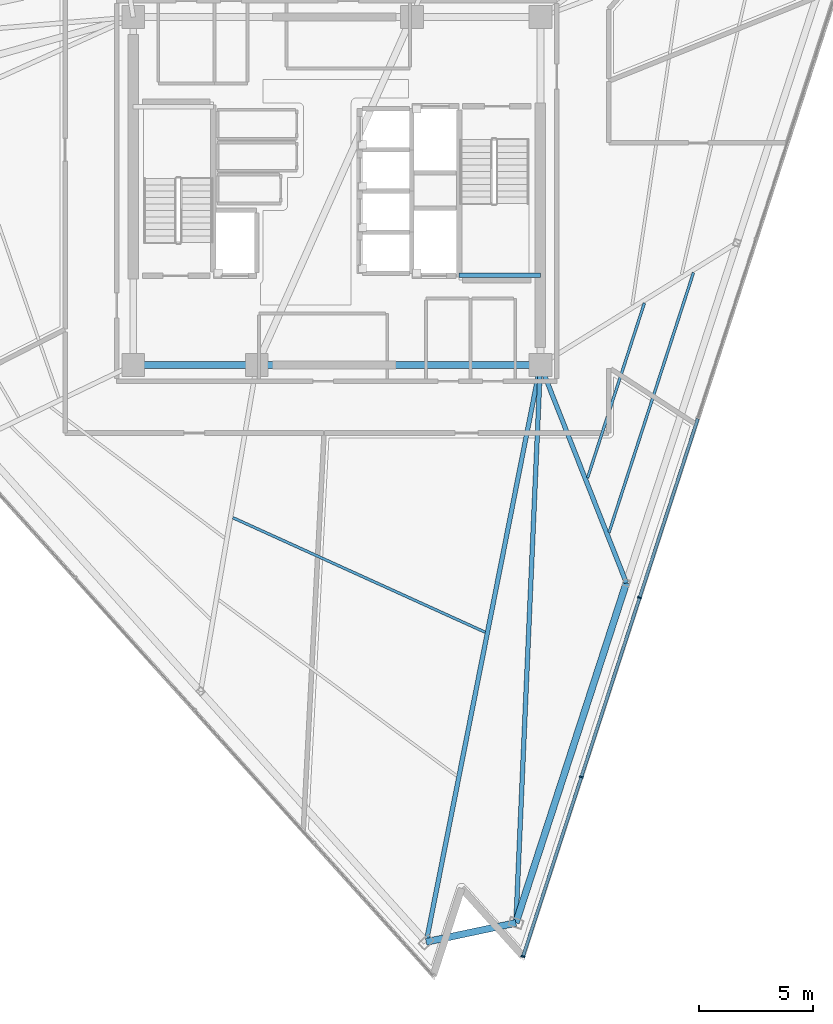
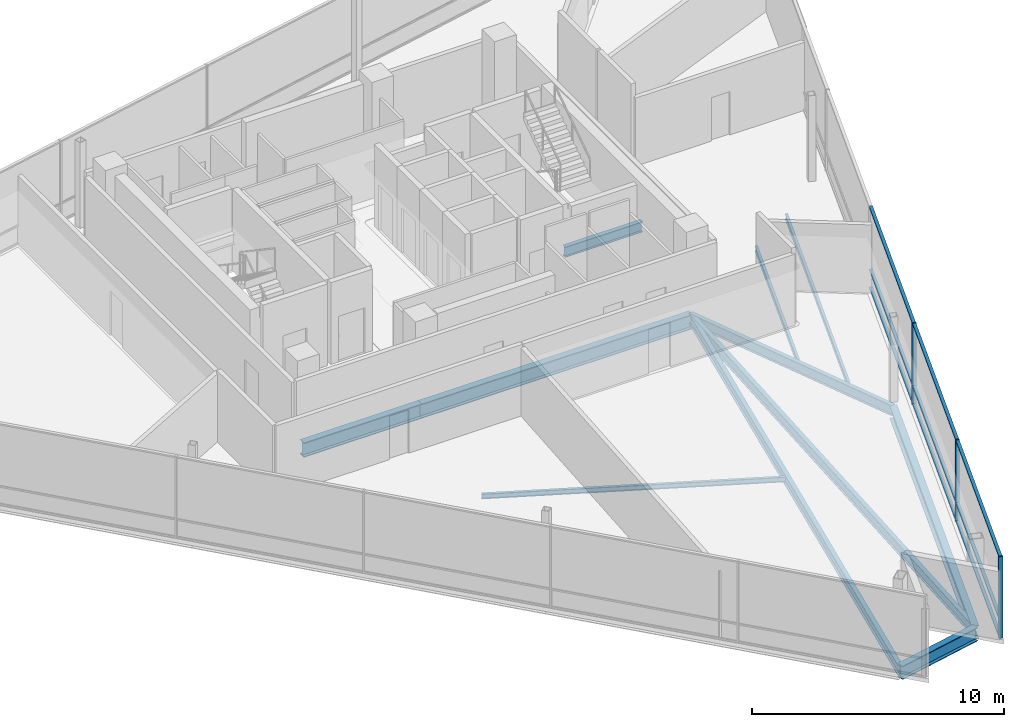
# One storey, part 5 of 17: 12 members, 11 beams, 1 element without a shape of its own.
"""IFC4 building model written with IfcOpenShell, lengths in metres."""

from ifc_helpers import new_model, si_unit, direction, frame, origin, origin_2d, place, context, subcontext, project, spatial, rectangle, i_section, extrude, material, layer, layer_set, material_profile, profile_set, type_object, element, aggregate, save


model = new_model("IFC4")

# Units and contexts
model_context = context("Model", 3, precision=1e-05, world=origin(), true_north=direction((0.0, 1.0)))
body_context = subcontext(model_context, "Body", "Model", "MODEL_VIEW")
ifc_project = project(units=[si_unit("LENGTHUNIT", "METRE"), si_unit("AREAUNIT", "SQUARE_METRE"), si_unit("VOLUMEUNIT", "CUBIC_METRE"), si_unit("PLANEANGLEUNIT", "RADIAN"), si_unit("MASSUNIT", "GRAM", prefix="KILO")], contexts=[model_context])

# Site, building, storey
site_placement = place(None, origin())
site = spatial("IfcSite", under=ifc_project, at=site_placement, CompositionType="ELEMENT")
building_placement = place(site_placement, origin())
building = spatial("IfcBuilding", under=site, at=building_placement, Name="Tharavind Bronze Gate", CompositionType="ELEMENT")
storey_placement = place(building_placement, frame((0.0, 0.0, 298.0)))
storey = spatial("IfcBuildingStorey", under=building, at=storey_placement, Name="L77", CompositionType="ELEMENT", Elevation=298.0)

# Curtain wall, members
ifc_material_1 = material(Name="Anodised Bronze Aluminium", Category="aluminium")
ifc_layer = layer(ifc_material_1, 0.219970703125)
ifc_layer_set = layer_set([ifc_layer], Name="Anodised Bronze Aluminium")
curtain_wall_type = type_object("IfcCurtainWallType", Name="UNITISED CURTAIN WALL CROWN", PredefinedType="USERDEFINED", material=ifc_layer_set)
curtain_wall_placement = place(storey_placement, origin())
curtain_wall = element("IfcCurtainWall", 1, at=curtain_wall_placement, inside=storey, type_object=curtain_wall_type, Name="L77 unitised curtain wall crown CW-L77-S2", ObjectType="UNITISED CURTAIN WALL", PredefinedType="USERDEFINED")
member_type_1 = type_object("IfcMemberType", Name="CURTAIN WALL BRONZE MULLION 65X180", PredefinedType="MULLION", material=ifc_material_1)
member_1_placement = place(storey_placement, frame((8.14111328125, -33.462646484375, 0.0), z_axis=(0.0, 0.0, 1.0), x_axis=(0.309016994375, 0.951056516295, 0.0)))
member_1 = element("IfcMember", 2, at=member_1_placement, type_object=member_type_1, Name="CW-L77-S2 mullion 1", PredefinedType="MULLION", context=body_context, shape_type="SweptSolid", body=[
    extrude(rectangle(XDim=0.06494140625, YDim=0.179931640625, at=origin_2d()), origin(), (0.0, 0.0, 1.0), 3.949951171875),
])
member_2_placement = place(storey_placement, frame((10.68994140625, -25.618408203125, 0.0), z_axis=(0.0, 0.0, 1.0), x_axis=(0.309016994375, 0.951056516295, 0.0)))
member_2 = element("IfcMember", 3, at=member_2_placement, type_object=member_type_1, Name="CW-L77-S2 mullion 2", PredefinedType="MULLION", context=body_context, shape_type="SweptSolid", body=[
    extrude(rectangle(XDim=0.06494140625, YDim=0.179931640625, at=origin_2d()), origin(), (0.0, 0.0, 1.0), 3.949951171875),
])
member_3_placement = place(storey_placement, frame((13.23876953125, -17.77392578125, 0.0), z_axis=(0.0, 0.0, 1.0), x_axis=(0.309016994375, 0.951056516295, 0.0)))
member_3 = element("IfcMember", 4, at=member_3_placement, type_object=member_type_1, Name="CW-L77-S2 mullion 3", PredefinedType="MULLION", context=body_context, shape_type="SweptSolid", body=[
    extrude(rectangle(XDim=0.06494140625, YDim=0.179931640625, at=origin_2d()), origin(), (0.0, 0.0, 1.0), 3.949951171875),
])
member_type_2 = type_object("IfcMemberType", Name="CURTAIN WALL BRONZE TRANSOM 65X140", PredefinedType="USERDEFINED", material=ifc_material_1)
member_4_placement = place(storey_placement, frame((9.41552734375, -29.54052734375, 0.0), z_axis=(0.0, 0.0, 1.0), x_axis=(0.309016994375, 0.951056516295, 0.0)))
member_4 = element("IfcMember", 5, at=member_4_placement, type_object=member_type_2, Name="CW-L77-S2 transom TB1", ObjectType="TRANSOM", PredefinedType="USERDEFINED", context=body_context, shape_type="SweptSolid", body=[
    extrude(rectangle(XDim=8.195068359375, YDim=0.139892578125, at=origin_2d()), origin(), (0.0, 0.0, 1.0), 0.06494140625),
])
member_5_placement = place(storey_placement, frame((9.41552734375, -29.54052734375, 0.867431640625), z_axis=(0.0, 0.0, 1.0), x_axis=(0.309016994375, 0.951056516295, 0.0)))
member_5 = element("IfcMember", 6, at=member_5_placement, type_object=member_type_2, Name="CW-L77-S2 transom TS1", ObjectType="TRANSOM", PredefinedType="USERDEFINED", context=body_context, shape_type="SweptSolid", body=[
    extrude(rectangle(XDim=8.195068359375, YDim=0.139892578125, at=origin_2d()), origin(), (0.0, 0.0, 1.0), 0.06494140625),
])
member_6_placement = place(storey_placement, frame((9.41552734375, -29.54052734375, 3.885009765625), z_axis=(0.0, 0.0, 1.0), x_axis=(0.309016994375, 0.951056516295, 0.0)))
member_6 = element("IfcMember", 7, at=member_6_placement, type_object=member_type_2, Name="CW-L77-S2 transom TT1", ObjectType="TRANSOM", PredefinedType="USERDEFINED", context=body_context, shape_type="SweptSolid", body=[
    extrude(rectangle(XDim=8.195068359375, YDim=0.139892578125, at=origin_2d()), origin(), (0.0, 0.0, 1.0), 0.06494140625),
])
member_7_placement = place(storey_placement, frame((11.96435546875, -21.6962890625, 0.0), z_axis=(0.0, 0.0, 1.0), x_axis=(0.309016994375, 0.951056516295, 0.0)))
member_7 = element("IfcMember", 8, at=member_7_placement, type_object=member_type_2, Name="CW-L77-S2 transom TB2", ObjectType="TRANSOM", PredefinedType="USERDEFINED", context=body_context, shape_type="SweptSolid", body=[
    extrude(rectangle(XDim=8.195068359375, YDim=0.139892578125, at=origin_2d()), origin(), (0.0, 0.0, 1.0), 0.06494140625),
])
member_8_placement = place(storey_placement, frame((11.96435546875, -21.6962890625, 0.867431640625), z_axis=(0.0, 0.0, 1.0), x_axis=(0.309016994375, 0.951056516295, 0.0)))
member_8 = element("IfcMember", 9, at=member_8_placement, type_object=member_type_2, Name="CW-L77-S2 transom TS2", ObjectType="TRANSOM", PredefinedType="USERDEFINED", context=body_context, shape_type="SweptSolid", body=[
    extrude(rectangle(XDim=8.195068359375, YDim=0.139892578125, at=origin_2d()), origin(), (0.0, 0.0, 1.0), 0.06494140625),
])
member_9_placement = place(storey_placement, frame((11.96435546875, -21.6962890625, 3.885009765625), z_axis=(0.0, 0.0, 1.0), x_axis=(0.309016994375, 0.951056516295, 0.0)))
member_9 = element("IfcMember", 10, at=member_9_placement, type_object=member_type_2, Name="CW-L77-S2 transom TT2", ObjectType="TRANSOM", PredefinedType="USERDEFINED", context=body_context, shape_type="SweptSolid", body=[
    extrude(rectangle(XDim=8.195068359375, YDim=0.139892578125, at=origin_2d()), origin(), (0.0, 0.0, 1.0), 0.06494140625),
])
member_10_placement = place(storey_placement, frame((14.51318359375, -13.851806640625, 0.0), z_axis=(0.0, 0.0, 1.0), x_axis=(0.309016994375, 0.951056516295, 0.0)))
member_10 = element("IfcMember", 11, at=member_10_placement, type_object=member_type_2, Name="CW-L77-S2 transom TB3", ObjectType="TRANSOM", PredefinedType="USERDEFINED", context=body_context, shape_type="SweptSolid", body=[
    extrude(rectangle(XDim=8.195068359375, YDim=0.139892578125, at=origin_2d()), origin(), (0.0, 0.0, 1.0), 0.06494140625),
])
member_11_placement = place(storey_placement, frame((14.51318359375, -13.851806640625, 0.867431640625), z_axis=(0.0, 0.0, 1.0), x_axis=(0.309016994375, 0.951056516295, 0.0)))
member_11 = element("IfcMember", 12, at=member_11_placement, type_object=member_type_2, Name="CW-L77-S2 transom TS3", ObjectType="TRANSOM", PredefinedType="USERDEFINED", context=body_context, shape_type="SweptSolid", body=[
    extrude(rectangle(XDim=8.195068359375, YDim=0.139892578125, at=origin_2d()), origin(), (0.0, 0.0, 1.0), 0.06494140625),
])
member_12_placement = place(storey_placement, frame((14.51318359375, -13.851806640625, 3.885009765625), z_axis=(0.0, 0.0, 1.0), x_axis=(0.309016994375, 0.951056516295, 0.0)))
member_12 = element("IfcMember", 13, at=member_12_placement, type_object=member_type_2, Name="CW-L77-S2 transom TT3", ObjectType="TRANSOM", PredefinedType="USERDEFINED", context=body_context, shape_type="SweptSolid", body=[
    extrude(rectangle(XDim=8.195068359375, YDim=0.139892578125, at=origin_2d()), origin(), (0.0, 0.0, 1.0), 0.06494140625),
])
aggregate(curtain_wall, [member_1, member_2, member_3, member_4, member_5, member_6, member_7, member_8, member_9, member_10, member_11, member_12])

# Beams
ifc_material_2 = material(Name="Steel S355", Category="steel")
ifc_material_profile_1 = material_profile(ifc_material_2, i_section(OverallWidth=0.300048828125, OverallDepth=0.64990234375, WebThickness=0.01611328125, FlangeThickness=0.031005859375, at=origin_2d()), Name="HE650B")
ifc_profile_set_1 = profile_set([ifc_material_profile_1], Name="Steel S355")
beam_type_1 = type_object("IfcBeamType", Name="PRIMARY GIRDER HE650B", PredefinedType="USERDEFINED", material=ifc_profile_set_1)
beam_1_placement = place(storey_placement, frame((3.908935546875, -32.82861328125, -0.52490234375), z_axis=(0.978162875873, 0.207839813954, 0.0), x_axis=(-0.207839813954, 0.978162875873, 0.0)))
element("IfcBeam", 14, at=beam_1_placement, inside=storey, type_object=beam_type_1, Name="L77 primary girder he650b BM-L77-PRG04", ObjectType="GIRDER", PredefinedType="USERDEFINED", context=body_context, shape_type="SweptSolid", body=[
    extrude(i_section(OverallWidth=0.300048828125, OverallDepth=0.64990234375, WebThickness=0.01611328125, FlangeThickness=0.031005859375, at=origin_2d()), origin(), (0.0, 0.0, 1.0), 4.0078125),
])
beam_2_placement = place(storey_placement, frame((7.829345703125, -31.99560546875, -0.52490234375), z_axis=(0.309011547215, 0.951058286168, 0.0), x_axis=(-0.951058286168, 0.309011547215, 0.0)))
element("IfcBeam", 15, at=beam_2_placement, inside=storey, type_object=beam_type_1, Name="L77 primary girder he650b BM-L77-PRG05", ObjectType="GIRDER", PredefinedType="USERDEFINED", context=body_context, shape_type="SweptSolid", body=[
    extrude(i_section(OverallWidth=0.300048828125, OverallDepth=0.64990234375, WebThickness=0.01611328125, FlangeThickness=0.031005859375, at=origin_2d()), origin(), (0.0, 0.0, 1.0), 15.6298828125),
])
ifc_material_profile_2 = material_profile(ifc_material_2, i_section(OverallWidth=0.199951171875, OverallDepth=0.5, WebThickness=0.01025390625, FlangeThickness=0.01611328125, at=origin_2d()), Name="IPE500")
ifc_profile_set_2 = profile_set([ifc_material_profile_2], Name="Steel S355")
beam_type_2 = type_object("IfcBeamType", Name="PRIMARY GIRDER IPE500", PredefinedType="USERDEFINED", material=ifc_profile_set_2)
beam_3_placement = place(storey_placement, frame((5.35009765625, -3.679931640625, 1.625), z_axis=(1.0, 0.0, 0.0), x_axis=(0.0, 1.0, 0.0)))
element("IfcBeam", 16, at=beam_3_placement, inside=storey, type_object=beam_type_2, Name="L77 primary girder ipe500 BM-LD-ST2-L77-1", ObjectType="GIRDER", PredefinedType="USERDEFINED", context=body_context, shape_type="SweptSolid", body=[
    extrude(i_section(OverallWidth=0.199951171875, OverallDepth=0.5, WebThickness=0.01025390625, FlangeThickness=0.01611328125, at=origin_2d()), origin(), (0.0, 0.0, 1.0), 3.5498046875),
])
beam_4_placement = place(storey_placement, frame((3.908935546875, -32.82861328125, -0.449951171875), z_axis=(0.194069196249, 0.980987842467, 0.0), x_axis=(-0.980987842467, 0.194069196249, 0.0)))
element("IfcBeam", 17, at=beam_4_placement, inside=storey, type_object=beam_type_2, Name="L77 primary girder ipe500 BM-L77-RAD04", ObjectType="GIRDER", PredefinedType="USERDEFINED", context=body_context, shape_type="SweptSolid", body=[
    extrude(i_section(OverallWidth=0.199951171875, OverallDepth=0.5, WebThickness=0.01025390625, FlangeThickness=0.01611328125, at=origin_2d()), origin(), (0.0, 0.0, 1.0), 25.717529296875),
])
beam_5_placement = place(storey_placement, frame((7.829345703125, -31.99560546875, -0.449951171875), z_axis=(0.043841158128, 0.9990385142, 0.0), x_axis=(-0.9990385142, 0.043841158128, 0.0)))
element("IfcBeam", 18, at=beam_5_placement, inside=storey, type_object=beam_type_2, Name="L77 primary girder ipe500 BM-L77-RAD05", ObjectType="GIRDER", PredefinedType="USERDEFINED", context=body_context, shape_type="SweptSolid", body=[
    extrude(i_section(OverallWidth=0.199951171875, OverallDepth=0.5, WebThickness=0.01025390625, FlangeThickness=0.01611328125, at=origin_2d()), origin(), (0.0, 0.0, 1.0), 24.4189453125),
])
beam_6_placement = place(storey_placement, frame((12.6591796875, -17.130615234375, -0.449951171875), z_axis=(-0.366932678931, 0.930247498859, 0.0), x_axis=(-0.930247498859, -0.366932678931, 0.0)))
element("IfcBeam", 19, at=beam_6_placement, inside=storey, type_object=beam_type_2, Name="L77 primary girder ipe500 BM-L77-RAD06", ObjectType="GIRDER", PredefinedType="USERDEFINED", context=body_context, shape_type="SweptSolid", body=[
    extrude(i_section(OverallWidth=0.199951171875, OverallDepth=0.5, WebThickness=0.01025390625, FlangeThickness=0.01611328125, at=origin_2d()), origin(), (0.0, 0.0, 1.0), 10.2451171875),
])
ifc_material_profile_3 = material_profile(ifc_material_2, i_section(OverallWidth=0.300048828125, OverallDepth=0.699951171875, WebThickness=0.01708984375, FlangeThickness=0.031982421875, at=origin_2d()), Name="HE700B")
ifc_profile_set_3 = profile_set([ifc_material_profile_3], Name="Steel S355")
beam_type_3 = type_object("IfcBeamType", Name="RING GIRDER HE700B", PredefinedType="USERDEFINED", material=ifc_profile_set_3)
beam_7_placement = place(storey_placement, frame((-8.89990234375, -7.60009765625, -0.550048828125), z_axis=(1.0, 0.0, 0.0), x_axis=(0.0, 1.0, 0.0)))
element("IfcBeam", 20, at=beam_7_placement, inside=storey, type_object=beam_type_3, Name="L77 ring girder he700b BM-L77-CR1", ObjectType="GIRDER", PredefinedType="USERDEFINED", context=body_context, shape_type="SweptSolid", body=[
    extrude(i_section(OverallWidth=0.300048828125, OverallDepth=0.699951171875, WebThickness=0.01708984375, FlangeThickness=0.031982421875, at=origin_2d()), origin(), (0.0, 0.0, 1.0), 5.39990234375),
])
beam_8_placement = place(storey_placement, frame((-3.5, -7.60009765625, -0.550048828125), z_axis=(1.0, 0.0, 0.0), x_axis=(0.0, 1.0, 0.0)))
element("IfcBeam", 21, at=beam_8_placement, inside=storey, type_object=beam_type_3, Name="L77 ring girder he700b BM-L77-CR2", ObjectType="GIRDER", PredefinedType="USERDEFINED", context=body_context, shape_type="SweptSolid", body=[
    extrude(i_section(OverallWidth=0.300048828125, OverallDepth=0.699951171875, WebThickness=0.01708984375, FlangeThickness=0.031982421875, at=origin_2d()), origin(), (0.0, 0.0, 1.0), 12.39990234375),
])
ifc_material_profile_4 = material_profile(ifc_material_2, i_section(OverallWidth=0.1201171875, OverallDepth=0.239990234375, WebThickness=0.006103515625, FlangeThickness=0.009765625, at=origin_2d()), Name="IPE240")
ifc_profile_set_4 = profile_set([ifc_material_profile_4], Name="Steel S355")
beam_type_4 = type_object("IfcBeamType", Name="SECONDARY FLOOR JOIST IPE240", PredefinedType="JOIST", material=ifc_profile_set_4)
beam_9_placement = place(storey_placement, frame((-4.543212890625, -14.2822265625, -0.320068359375), z_axis=(0.910570075217, -0.413354736419, 0.0), x_axis=(0.413354736419, 0.910570075217, 0.0)))
element("IfcBeam", 22, at=beam_9_placement, inside=storey, type_object=beam_type_4, Name="L77 secondary floor joist ipe240 BM-L77-JSTA03", PredefinedType="JOIST", context=body_context, shape_type="SweptSolid", body=[
    extrude(i_section(OverallWidth=0.1201171875, OverallDepth=0.239990234375, WebThickness=0.006103515625, FlangeThickness=0.009765625, at=origin_2d()), origin(), (0.0, 0.0, 1.0), 12.10791015625),
])
beam_10_placement = place(storey_placement, frame((10.9609375, -12.545654296875, -0.320068359375), z_axis=(0.309014681119, 0.951057267914, 0.0), x_axis=(-0.951057267914, 0.309014681119, 0.0)))
element("IfcBeam", 23, at=beam_10_placement, inside=storey, type_object=beam_type_4, Name="L77 secondary floor joist ipe240 BM-L77-JSTA06", PredefinedType="JOIST", context=body_context, shape_type="SweptSolid", body=[
    extrude(i_section(OverallWidth=0.1201171875, OverallDepth=0.239990234375, WebThickness=0.006103515625, FlangeThickness=0.009765625, at=origin_2d()), origin(), (0.0, 0.0, 1.0), 8.0419921875),
])
beam_11_placement = place(storey_placement, frame((11.90087890625, -14.92822265625, -0.320068359375), z_axis=(0.309022779796, 0.951054636478, 0.0), x_axis=(-0.951054636478, 0.309022779796, 0.0)))
element("IfcBeam", 24, at=beam_11_placement, inside=storey, type_object=beam_type_4, Name="L77 secondary floor joist ipe240 BM-L77-JSTB06", PredefinedType="JOIST", context=body_context, shape_type="SweptSolid", body=[
    extrude(i_section(OverallWidth=0.1201171875, OverallDepth=0.239990234375, WebThickness=0.006103515625, FlangeThickness=0.009765625, at=origin_2d()), origin(), (0.0, 0.0, 1.0), 11.949462890625),
])

save(model, "model.ifc")
